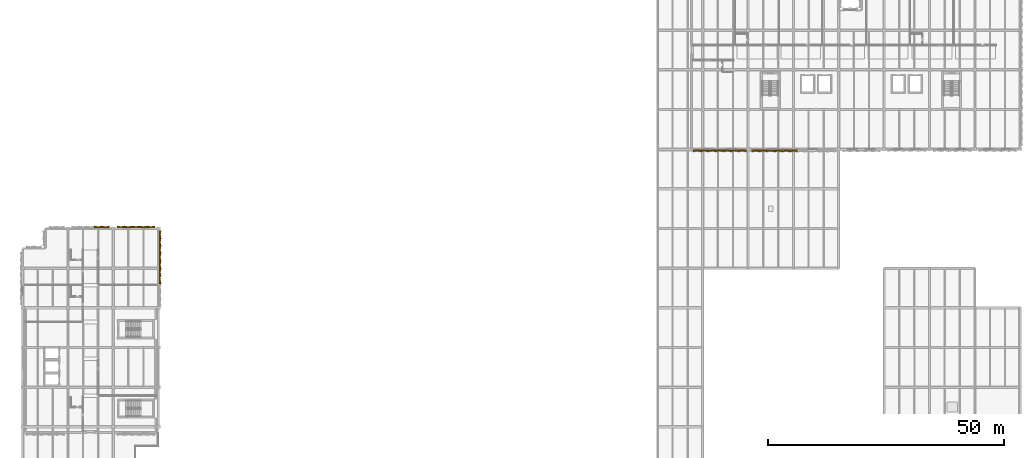
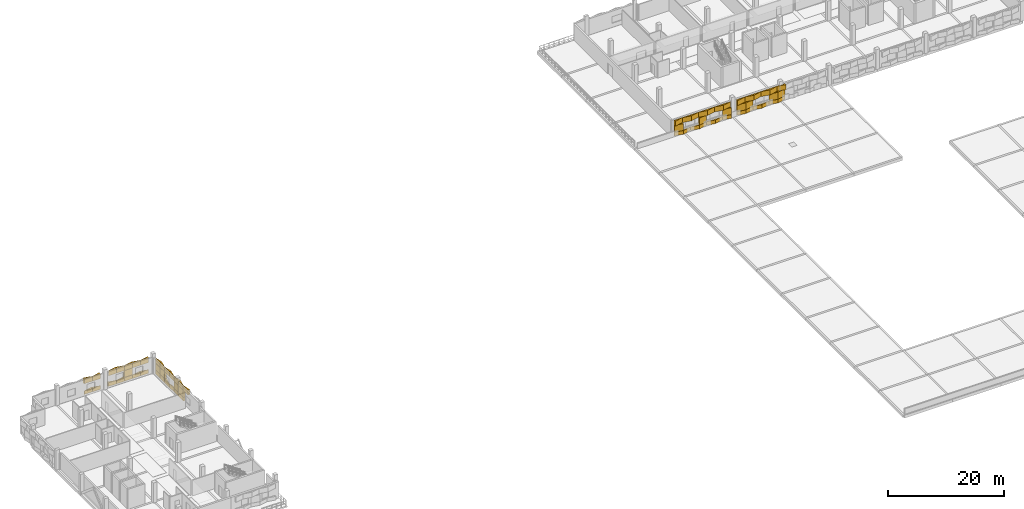
# One storey, part 20 of 24: 65 coverings.
"""IFC4 building model written with IfcOpenShell, lengths in metres."""

from ifc_helpers import new_model, si_unit, direction, frame, origin, place, context, subcontext, project, spatial, polyline, outline, extrude, material, type_object, element, save


model = new_model("IFC4")

# Units and contexts
model_context = context("Model", 3, precision=1e-05, world=origin(), true_north=direction((0.0, 1.0)))
body_context = subcontext(model_context, "Body", "Model", "MODEL_VIEW")
ifc_project = project(units=[si_unit("LENGTHUNIT", "METRE"), si_unit("AREAUNIT", "SQUARE_METRE"), si_unit("VOLUMEUNIT", "CUBIC_METRE"), si_unit("PLANEANGLEUNIT", "RADIAN"), si_unit("MASSUNIT", "GRAM", prefix="KILO")], contexts=[model_context])

# Site, building, storey
site_placement = place(None, origin())
site = spatial("IfcSite", under=ifc_project, at=site_placement, CompositionType="ELEMENT")
building_placement = place(site_placement, origin())
building = spatial("IfcBuilding", under=site, at=building_placement, Name="Oolite Switchyard Hospital", CompositionType="ELEMENT")
storey_placement = place(building_placement, frame((0.0, 0.0, 22.0)))
storey = spatial("IfcBuildingStorey", under=building, at=storey_placement, Name="L05", CompositionType="ELEMENT", Elevation=22.0)

# Coverings
ifc_material = material(Name="Precast oolitic limestone architectural concrete C40/50", Category="masonry")
covering_type_1 = type_object("IfcCoveringType", Name="COV-CHEV-COOL", PredefinedType="CLADDING", material=ifc_material)
covering_1_placement = place(storey_placement, frame((153.199951171875, 100.6298828125, 0.050048828125), z_axis=(0.0, 0.0, 1.0), x_axis=(-1.0, 0.0, 0.0)))
element("IfcCovering", 1, at=covering_1_placement, inside=storey, type_object=covering_type_1, Name="L05 Chevron Precast Oolite Panel 1099", PredefinedType="CLADDING", context=body_context, shape_type="SweptSolid", body=[
    extrude(outline(polyline([(0.0, 0.0), (1.599853515625, 0.0), (1.599853515625, 0.044921875), (0.0, 0.385009765625), (0.0, 0.0)])), origin(), (0.0, 0.0, 1.0), 0.760009765625),
])
covering_2_placement = place(storey_placement, frame((153.199951171875, 100.6298828125, 2.2900390625), z_axis=(0.0, 0.0, 1.0), x_axis=(-1.0, 0.0, 0.0)))
element("IfcCovering", 2, at=covering_2_placement, inside=storey, type_object=covering_type_1, Name="L05 Chevron Precast Oolite Panel 1100", PredefinedType="CLADDING", context=body_context, shape_type="SweptSolid", body=[
    extrude(outline(polyline([(0.0, 0.0), (1.599853515625, 0.0), (1.599853515625, 0.385009765625), (0.0, 0.044921875), (0.0, 0.0)])), origin(), (0.0, 0.0, 1.0), 1.050048828125),
])
covering_3_placement = place(storey_placement, frame((153.199951171875, 100.6298828125, 0.830078125), z_axis=(0.0, 0.0, 1.0), x_axis=(-1.0, 0.0, 0.0)))
element("IfcCovering", 3, at=covering_3_placement, inside=storey, type_object=covering_type_1, Name="L05 Chevron Precast Oolite Panel 1101", PredefinedType="CLADDING", context=body_context, shape_type="SweptSolid", body=[
    extrude(outline(polyline([(0.0, 0.0), (1.599853515625, 0.0), (1.599853515625, 0.044921875), (0.0, 0.385009765625), (0.0, 0.0)])), origin(), (0.0, 0.0, 1.0), 1.43994140625),
])
covering_4_placement = place(storey_placement, frame((151.60009765625, 100.6298828125, 0.050048828125), z_axis=(0.0, 0.0, 1.0), x_axis=(-1.0, 0.0, 0.0)))
element("IfcCovering", 4, at=covering_4_placement, inside=storey, type_object=covering_type_1, Name="L05 Chevron Precast Oolite Panel 1102", PredefinedType="CLADDING", context=body_context, shape_type="SweptSolid", body=[
    extrude(outline(polyline([(0.0, 0.0), (1.60009765625, 0.0), (1.60009765625, 0.385009765625), (0.0, 0.044921875), (0.0, 0.0)])), origin(), (0.0, 0.0, 1.0), 0.760009765625),
])
covering_5_placement = place(storey_placement, frame((151.60009765625, 100.6298828125, 2.2900390625), z_axis=(0.0, 0.0, 1.0), x_axis=(-1.0, 0.0, 0.0)))
element("IfcCovering", 5, at=covering_5_placement, inside=storey, type_object=covering_type_1, Name="L05 Chevron Precast Oolite Panel 1103", PredefinedType="CLADDING", context=body_context, shape_type="SweptSolid", body=[
    extrude(outline(polyline([(0.0, 0.0), (1.60009765625, 0.0), (1.60009765625, 0.044921875), (0.0, 0.385009765625), (0.0, 0.0)])), origin(), (0.0, 0.0, 1.0), 1.050048828125),
])
covering_6_placement = place(storey_placement, frame((150.0, 100.6298828125, 0.050048828125), z_axis=(0.0, 0.0, 1.0), x_axis=(-1.0, 0.0, 0.0)))
element("IfcCovering", 6, at=covering_6_placement, inside=storey, type_object=covering_type_1, Name="L05 Chevron Precast Oolite Panel 1104", PredefinedType="CLADDING", context=body_context, shape_type="SweptSolid", body=[
    extrude(outline(polyline([(0.0, 0.0), (1.60009765625, 0.0), (1.60009765625, 0.044921875), (0.0, 0.385009765625), (0.0, 0.0)])), origin(), (0.0, 0.0, 1.0), 0.760009765625),
])
covering_7_placement = place(storey_placement, frame((150.0, 100.6298828125, 2.2900390625), z_axis=(0.0, 0.0, 1.0), x_axis=(-1.0, 0.0, 0.0)))
element("IfcCovering", 7, at=covering_7_placement, inside=storey, type_object=covering_type_1, Name="L05 Chevron Precast Oolite Panel 1105", PredefinedType="CLADDING", context=body_context, shape_type="SweptSolid", body=[
    extrude(outline(polyline([(0.0, 0.0), (1.60009765625, 0.0), (1.60009765625, 0.385009765625), (0.0, 0.044921875), (0.0, 0.0)])), origin(), (0.0, 0.0, 1.0), 1.050048828125),
])
covering_8_placement = place(storey_placement, frame((148.39990234375, 100.6298828125, 0.050048828125), z_axis=(0.0, 0.0, 1.0), x_axis=(-1.0, 0.0, 0.0)))
element("IfcCovering", 8, at=covering_8_placement, inside=storey, type_object=covering_type_1, Name="L05 Chevron Precast Oolite Panel 1106", PredefinedType="CLADDING", context=body_context, shape_type="SweptSolid", body=[
    extrude(outline(polyline([(0.0, 0.0), (1.599853515625, 0.0), (1.599853515625, 0.385009765625), (0.0, 0.044921875), (0.0, 0.0)])), origin(), (0.0, 0.0, 1.0), 0.760009765625),
])
covering_9_placement = place(storey_placement, frame((148.39990234375, 100.6298828125, 2.2900390625), z_axis=(0.0, 0.0, 1.0), x_axis=(-1.0, 0.0, 0.0)))
element("IfcCovering", 9, at=covering_9_placement, inside=storey, type_object=covering_type_1, Name="L05 Chevron Precast Oolite Panel 1107", PredefinedType="CLADDING", context=body_context, shape_type="SweptSolid", body=[
    extrude(outline(polyline([(0.0, 0.0), (1.599853515625, 0.0), (1.599853515625, 0.044921875), (0.0, 0.385009765625), (0.0, 0.0)])), origin(), (0.0, 0.0, 1.0), 1.050048828125),
])
covering_10_placement = place(storey_placement, frame((148.39990234375, 100.6298828125, 0.830078125), z_axis=(0.0, 0.0, 1.0), x_axis=(-1.0, 0.0, 0.0)))
element("IfcCovering", 10, at=covering_10_placement, inside=storey, type_object=covering_type_1, Name="L05 Chevron Precast Oolite Panel 1108", PredefinedType="CLADDING", context=body_context, shape_type="SweptSolid", body=[
    extrude(outline(polyline([(0.0, 0.0), (1.599853515625, 0.0), (1.599853515625, 0.385009765625), (0.0, 0.044921875), (0.0, 0.0)])), origin(), (0.0, 0.0, 1.0), 1.43994140625),
])
covering_11_placement = place(storey_placement, frame((146.800048828125, 100.6298828125, 0.050048828125), z_axis=(0.0, 0.0, 1.0), x_axis=(-1.0, 0.0, 0.0)))
element("IfcCovering", 11, at=covering_11_placement, inside=storey, type_object=covering_type_1, Name="L05 Chevron Precast Oolite Panel 1109", PredefinedType="CLADDING", context=body_context, shape_type="SweptSolid", body=[
    extrude(outline(polyline([(0.0, 0.0), (1.60009765625, 0.0), (1.60009765625, 0.044921875), (0.0, 0.385009765625), (0.0, 0.0)])), origin(), (0.0, 0.0, 1.0), 0.760009765625),
])
covering_12_placement = place(storey_placement, frame((146.800048828125, 100.6298828125, 2.2900390625), z_axis=(0.0, 0.0, 1.0), x_axis=(-1.0, 0.0, 0.0)))
element("IfcCovering", 12, at=covering_12_placement, inside=storey, type_object=covering_type_1, Name="L05 Chevron Precast Oolite Panel 1110", PredefinedType="CLADDING", context=body_context, shape_type="SweptSolid", body=[
    extrude(outline(polyline([(0.0, 0.0), (1.60009765625, 0.0), (1.60009765625, 0.385009765625), (0.0, 0.044921875), (0.0, 0.0)])), origin(), (0.0, 0.0, 1.0), 1.050048828125),
])
covering_13_placement = place(storey_placement, frame((145.199951171875, 100.6298828125, 0.050048828125), z_axis=(0.0, 0.0, 1.0), x_axis=(-1.0, 0.0, 0.0)))
element("IfcCovering", 13, at=covering_13_placement, inside=storey, type_object=covering_type_1, Name="L05 Chevron Precast Oolite Panel 1111", PredefinedType="CLADDING", context=body_context, shape_type="SweptSolid", body=[
    extrude(outline(polyline([(0.0, 0.0), (1.599853515625, 0.0), (1.599853515625, 0.385009765625), (0.0, 0.044921875), (0.0, 0.0)])), origin(), (0.0, 0.0, 1.0), 0.760009765625),
])
covering_14_placement = place(storey_placement, frame((145.199951171875, 100.6298828125, 2.2900390625), z_axis=(0.0, 0.0, 1.0), x_axis=(-1.0, 0.0, 0.0)))
element("IfcCovering", 14, at=covering_14_placement, inside=storey, type_object=covering_type_1, Name="L05 Chevron Precast Oolite Panel 1112", PredefinedType="CLADDING", context=body_context, shape_type="SweptSolid", body=[
    extrude(outline(polyline([(0.0, 0.0), (1.599853515625, 0.0), (1.599853515625, 0.044921875), (0.0, 0.385009765625), (0.0, 0.0)])), origin(), (0.0, 0.0, 1.0), 1.050048828125),
])
covering_15_placement = place(storey_placement, frame((143.60009765625, 100.6298828125, 0.050048828125), z_axis=(0.0, 0.0, 1.0), x_axis=(-1.0, 0.0, 0.0)))
element("IfcCovering", 15, at=covering_15_placement, inside=storey, type_object=covering_type_1, Name="L05 Chevron Precast Oolite Panel 1113", PredefinedType="CLADDING", context=body_context, shape_type="SweptSolid", body=[
    extrude(outline(polyline([(0.0, 0.0), (1.60009765625, 0.0), (1.60009765625, 0.044921875), (0.0, 0.385009765625), (0.0, 0.0)])), origin(), (0.0, 0.0, 1.0), 0.760009765625),
])
covering_16_placement = place(storey_placement, frame((143.60009765625, 100.6298828125, 2.2900390625), z_axis=(0.0, 0.0, 1.0), x_axis=(-1.0, 0.0, 0.0)))
element("IfcCovering", 16, at=covering_16_placement, inside=storey, type_object=covering_type_1, Name="L05 Chevron Precast Oolite Panel 1114", PredefinedType="CLADDING", context=body_context, shape_type="SweptSolid", body=[
    extrude(outline(polyline([(0.0, 0.0), (1.60009765625, 0.0), (1.60009765625, 0.385009765625), (0.0, 0.044921875), (0.0, 0.0)])), origin(), (0.0, 0.0, 1.0), 1.050048828125),
])
covering_17_placement = place(storey_placement, frame((143.60009765625, 100.6298828125, 0.830078125), z_axis=(0.0, 0.0, 1.0), x_axis=(-1.0, 0.0, 0.0)))
element("IfcCovering", 17, at=covering_17_placement, inside=storey, type_object=covering_type_1, Name="L05 Chevron Precast Oolite Panel 1115", PredefinedType="CLADDING", context=body_context, shape_type="SweptSolid", body=[
    extrude(outline(polyline([(0.0, 0.0), (1.60009765625, 0.0), (1.60009765625, 0.044921875), (0.0, 0.385009765625), (0.0, 0.0)])), origin(), (0.0, 0.0, 1.0), 1.43994140625),
])
covering_18_placement = place(storey_placement, frame((164.0, 100.6201171875, 0.050048828125), z_axis=(0.0, 0.0, 1.0), x_axis=(-1.0, 0.0, 0.0)))
element("IfcCovering", 18, at=covering_18_placement, inside=storey, type_object=covering_type_1, Name="L05 Chevron Precast Oolite Panel 1129", PredefinedType="CLADDING", context=body_context, shape_type="SweptSolid", body=[
    extrude(outline(polyline([(0.0, 0.0), (1.60009765625, 0.0), (1.60009765625, 0.385009765625), (0.0, 0.044921875), (0.0, 0.0)])), origin(), (0.0, 0.0, 1.0), 0.760009765625),
])
covering_19_placement = place(storey_placement, frame((164.0, 100.6201171875, 2.2900390625), z_axis=(0.0, 0.0, 1.0), x_axis=(-1.0, 0.0, 0.0)))
element("IfcCovering", 19, at=covering_19_placement, inside=storey, type_object=covering_type_1, Name="L05 Chevron Precast Oolite Panel 1130", PredefinedType="CLADDING", context=body_context, shape_type="SweptSolid", body=[
    extrude(outline(polyline([(0.0, 0.0), (1.60009765625, 0.0), (1.60009765625, 0.044921875), (0.0, 0.385009765625), (0.0, 0.0)])), origin(), (0.0, 0.0, 1.0), 1.050048828125),
])
covering_20_placement = place(storey_placement, frame((164.0, 100.6201171875, 0.830078125), z_axis=(0.0, 0.0, 1.0), x_axis=(-1.0, 0.0, 0.0)))
element("IfcCovering", 20, at=covering_20_placement, inside=storey, type_object=covering_type_1, Name="L05 Chevron Precast Oolite Panel 1131", PredefinedType="CLADDING", context=body_context, shape_type="SweptSolid", body=[
    extrude(outline(polyline([(0.0, 0.0), (1.60009765625, 0.0), (1.60009765625, 0.385009765625), (0.0, 0.044921875), (0.0, 0.0)])), origin(), (0.0, 0.0, 1.0), 1.43994140625),
])
covering_21_placement = place(storey_placement, frame((162.39990234375, 100.6201171875, 0.050048828125), z_axis=(0.0, 0.0, 1.0), x_axis=(-1.0, 0.0, 0.0)))
element("IfcCovering", 21, at=covering_21_placement, inside=storey, type_object=covering_type_1, Name="L05 Chevron Precast Oolite Panel 1132", PredefinedType="CLADDING", context=body_context, shape_type="SweptSolid", body=[
    extrude(outline(polyline([(0.0, 0.0), (1.599853515625, 0.0), (1.599853515625, 0.044921875), (0.0, 0.385009765625), (0.0, 0.0)])), origin(), (0.0, 0.0, 1.0), 0.760009765625),
])
covering_22_placement = place(storey_placement, frame((162.39990234375, 100.6201171875, 2.2900390625), z_axis=(0.0, 0.0, 1.0), x_axis=(-1.0, 0.0, 0.0)))
element("IfcCovering", 22, at=covering_22_placement, inside=storey, type_object=covering_type_1, Name="L05 Chevron Precast Oolite Panel 1133", PredefinedType="CLADDING", context=body_context, shape_type="SweptSolid", body=[
    extrude(outline(polyline([(0.0, 0.0), (1.599853515625, 0.0), (1.599853515625, 0.385009765625), (0.0, 0.044921875), (0.0, 0.0)])), origin(), (0.0, 0.0, 1.0), 1.050048828125),
])
covering_23_placement = place(storey_placement, frame((162.39990234375, 100.6201171875, 0.830078125), z_axis=(0.0, 0.0, 1.0), x_axis=(-1.0, 0.0, 0.0)))
element("IfcCovering", 23, at=covering_23_placement, inside=storey, type_object=covering_type_1, Name="L05 Chevron Precast Oolite Panel 1134", PredefinedType="CLADDING", context=body_context, shape_type="SweptSolid", body=[
    extrude(outline(polyline([(0.0, 0.0), (1.599853515625, 0.0), (1.599853515625, 0.044921875), (0.0, 0.385009765625), (0.0, 0.0)])), origin(), (0.0, 0.0, 1.0), 1.43994140625),
])
covering_24_placement = place(storey_placement, frame((160.800048828125, 100.6201171875, 0.050048828125), z_axis=(0.0, 0.0, 1.0), x_axis=(-1.0, 0.0, 0.0)))
element("IfcCovering", 24, at=covering_24_placement, inside=storey, type_object=covering_type_1, Name="L05 Chevron Precast Oolite Panel 1135", PredefinedType="CLADDING", context=body_context, shape_type="SweptSolid", body=[
    extrude(outline(polyline([(0.0, 0.0), (1.60009765625, 0.0), (1.60009765625, 0.385009765625), (0.0, 0.044921875), (0.0, 0.0)])), origin(), (0.0, 0.0, 1.0), 0.760009765625),
])
covering_25_placement = place(storey_placement, frame((160.800048828125, 100.6201171875, 2.2900390625), z_axis=(0.0, 0.0, 1.0), x_axis=(-1.0, 0.0, 0.0)))
element("IfcCovering", 25, at=covering_25_placement, inside=storey, type_object=covering_type_1, Name="L05 Chevron Precast Oolite Panel 1136", PredefinedType="CLADDING", context=body_context, shape_type="SweptSolid", body=[
    extrude(outline(polyline([(0.0, 0.0), (1.60009765625, 0.0), (1.60009765625, 0.044921875), (0.0, 0.385009765625), (0.0, 0.0)])), origin(), (0.0, 0.0, 1.0), 1.050048828125),
])
covering_26_placement = place(storey_placement, frame((159.199951171875, 100.6201171875, 0.050048828125), z_axis=(0.0, 0.0, 1.0), x_axis=(-1.0, 0.0, 0.0)))
element("IfcCovering", 26, at=covering_26_placement, inside=storey, type_object=covering_type_1, Name="L05 Chevron Precast Oolite Panel 1137", PredefinedType="CLADDING", context=body_context, shape_type="SweptSolid", body=[
    extrude(outline(polyline([(0.0, 0.0), (1.599853515625, 0.0), (1.599853515625, 0.044921875), (0.0, 0.385009765625), (0.0, 0.0)])), origin(), (0.0, 0.0, 1.0), 0.760009765625),
])
covering_27_placement = place(storey_placement, frame((159.199951171875, 100.6201171875, 2.2900390625), z_axis=(0.0, 0.0, 1.0), x_axis=(-1.0, 0.0, 0.0)))
element("IfcCovering", 27, at=covering_27_placement, inside=storey, type_object=covering_type_1, Name="L05 Chevron Precast Oolite Panel 1138", PredefinedType="CLADDING", context=body_context, shape_type="SweptSolid", body=[
    extrude(outline(polyline([(0.0, 0.0), (1.599853515625, 0.0), (1.599853515625, 0.385009765625), (0.0, 0.044921875), (0.0, 0.0)])), origin(), (0.0, 0.0, 1.0), 1.050048828125),
])
covering_28_placement = place(storey_placement, frame((157.60009765625, 100.6201171875, 0.050048828125), z_axis=(0.0, 0.0, 1.0), x_axis=(-1.0, 0.0, 0.0)))
element("IfcCovering", 28, at=covering_28_placement, inside=storey, type_object=covering_type_1, Name="L05 Chevron Precast Oolite Panel 1139", PredefinedType="CLADDING", context=body_context, shape_type="SweptSolid", body=[
    extrude(outline(polyline([(0.0, 0.0), (1.60009765625, 0.0), (1.60009765625, 0.385009765625), (0.0, 0.044921875), (0.0, 0.0)])), origin(), (0.0, 0.0, 1.0), 0.760009765625),
])
covering_29_placement = place(storey_placement, frame((157.60009765625, 100.6201171875, 2.2900390625), z_axis=(0.0, 0.0, 1.0), x_axis=(-1.0, 0.0, 0.0)))
element("IfcCovering", 29, at=covering_29_placement, inside=storey, type_object=covering_type_1, Name="L05 Chevron Precast Oolite Panel 1140", PredefinedType="CLADDING", context=body_context, shape_type="SweptSolid", body=[
    extrude(outline(polyline([(0.0, 0.0), (1.60009765625, 0.0), (1.60009765625, 0.044921875), (0.0, 0.385009765625), (0.0, 0.0)])), origin(), (0.0, 0.0, 1.0), 1.050048828125),
])
covering_30_placement = place(storey_placement, frame((157.60009765625, 100.6201171875, 0.830078125), z_axis=(0.0, 0.0, 1.0), x_axis=(-1.0, 0.0, 0.0)))
element("IfcCovering", 30, at=covering_30_placement, inside=storey, type_object=covering_type_1, Name="L05 Chevron Precast Oolite Panel 1141", PredefinedType="CLADDING", context=body_context, shape_type="SweptSolid", body=[
    extrude(outline(polyline([(0.0, 0.0), (1.60009765625, 0.0), (1.60009765625, 0.385009765625), (0.0, 0.044921875), (0.0, 0.0)])), origin(), (0.0, 0.0, 1.0), 1.43994140625),
])
covering_31_placement = place(storey_placement, frame((156.0, 100.6201171875, 0.050048828125), z_axis=(0.0, 0.0, 1.0), x_axis=(-1.0, 0.0, 0.0)))
element("IfcCovering", 31, at=covering_31_placement, inside=storey, type_object=covering_type_1, Name="L05 Chevron Precast Oolite Panel 1142", PredefinedType="CLADDING", context=body_context, shape_type="SweptSolid", body=[
    extrude(outline(polyline([(0.0, 0.0), (1.60009765625, 0.0), (1.60009765625, 0.044921875), (0.0, 0.385009765625), (0.0, 0.0)])), origin(), (0.0, 0.0, 1.0), 0.760009765625),
])
covering_32_placement = place(storey_placement, frame((156.0, 100.6201171875, 2.2900390625), z_axis=(0.0, 0.0, 1.0), x_axis=(-1.0, 0.0, 0.0)))
element("IfcCovering", 32, at=covering_32_placement, inside=storey, type_object=covering_type_1, Name="L05 Chevron Precast Oolite Panel 1143", PredefinedType="CLADDING", context=body_context, shape_type="SweptSolid", body=[
    extrude(outline(polyline([(0.0, 0.0), (1.60009765625, 0.0), (1.60009765625, 0.385009765625), (0.0, 0.044921875), (0.0, 0.0)])), origin(), (0.0, 0.0, 1.0), 1.050048828125),
])
covering_33_placement = place(storey_placement, frame((156.0, 100.6201171875, 0.830078125), z_axis=(0.0, 0.0, 1.0), x_axis=(-1.0, 0.0, 0.0)))
element("IfcCovering", 33, at=covering_33_placement, inside=storey, type_object=covering_type_1, Name="L05 Chevron Precast Oolite Panel 1144", PredefinedType="CLADDING", context=body_context, shape_type="SweptSolid", body=[
    extrude(outline(polyline([(0.0, 0.0), (1.60009765625, 0.0), (1.60009765625, 0.044921875), (0.0, 0.385009765625), (0.0, 0.0)])), origin(), (0.0, 0.0, 1.0), 1.43994140625),
])
covering_type_2 = type_object("IfcCoveringType", Name="COV-CHEV-WARM", PredefinedType="CLADDING", material=ifc_material)
covering_34_placement = place(storey_placement, frame((15.199951171875, 84.14990234375, 0.050048828125), z_axis=(0.0, 0.0, 1.0), x_axis=(1.0, 0.0, 0.0)))
element("IfcCovering", 34, at=covering_34_placement, inside=storey, type_object=covering_type_2, Name="L05 Chevron Precast Oolite Panel 1084", PredefinedType="CLADDING", context=body_context, shape_type="SweptSolid", body=[
    extrude(outline(polyline([(0.0, 0.0), (1.60009765625, 0.0), (1.60009765625, 0.385009765625), (0.0, 0.044921875), (0.0, 0.0)])), origin(), (0.0, 0.0, 1.0), 0.760009765625),
])
covering_35_placement = place(storey_placement, frame((15.199951171875, 84.14990234375, 2.2900390625), z_axis=(0.0, 0.0, 1.0), x_axis=(1.0, 0.0, 0.0)))
element("IfcCovering", 35, at=covering_35_placement, inside=storey, type_object=covering_type_2, Name="L05 Chevron Precast Oolite Panel 1085", PredefinedType="CLADDING", context=body_context, shape_type="SweptSolid", body=[
    extrude(outline(polyline([(0.0, 0.0), (1.60009765625, 0.0), (1.60009765625, 0.044921875), (0.0, 0.385009765625), (0.0, 0.0)])), origin(), (0.0, 0.0, 1.0), 1.050048828125),
])
covering_36_placement = place(storey_placement, frame((16.800048828125, 84.14990234375, 0.050048828125), z_axis=(0.0, 0.0, 1.0), x_axis=(1.0, 0.0, 0.0)))
element("IfcCovering", 36, at=covering_36_placement, inside=storey, type_object=covering_type_2, Name="L05 Chevron Precast Oolite Panel 1086", PredefinedType="CLADDING", context=body_context, shape_type="SweptSolid", body=[
    extrude(outline(polyline([(0.0, 0.0), (1.599853515625, 0.0), (1.599853515625, 0.044921875), (0.0, 0.385009765625), (0.0, 0.0)])), origin(), (0.0, 0.0, 1.0), 0.760009765625),
])
covering_37_placement = place(storey_placement, frame((16.800048828125, 84.14990234375, 2.2900390625), z_axis=(0.0, 0.0, 1.0), x_axis=(1.0, 0.0, 0.0)))
element("IfcCovering", 37, at=covering_37_placement, inside=storey, type_object=covering_type_2, Name="L05 Chevron Precast Oolite Panel 1087", PredefinedType="CLADDING", context=body_context, shape_type="SweptSolid", body=[
    extrude(outline(polyline([(0.0, 0.0), (1.599853515625, 0.0), (1.599853515625, 0.385009765625), (0.0, 0.044921875), (0.0, 0.0)])), origin(), (0.0, 0.0, 1.0), 1.050048828125),
])
covering_38_placement = place(storey_placement, frame((20.0, 84.159912109375, 0.050048828125), z_axis=(0.0, 0.0, 1.0), x_axis=(1.0, 0.0, 0.0)))
element("IfcCovering", 38, at=covering_38_placement, inside=storey, type_object=covering_type_2, Name="L05 Chevron Precast Oolite Panel 1088", PredefinedType="CLADDING", context=body_context, shape_type="SweptSolid", body=[
    extrude(outline(polyline([(0.0, 0.0), (1.60009765625, 0.0), (1.60009765625, 0.044921875), (0.0, 0.385009765625), (0.0, 0.0)])), origin(), (0.0, 0.0, 1.0), 0.760009765625),
])
covering_39_placement = place(storey_placement, frame((20.0, 84.159912109375, 2.2900390625), z_axis=(0.0, 0.0, 1.0), x_axis=(1.0, 0.0, 0.0)))
element("IfcCovering", 39, at=covering_39_placement, inside=storey, type_object=covering_type_2, Name="L05 Chevron Precast Oolite Panel 1089", PredefinedType="CLADDING", context=body_context, shape_type="SweptSolid", body=[
    extrude(outline(polyline([(0.0, 0.0), (1.60009765625, 0.0), (1.60009765625, 0.385009765625), (0.0, 0.044921875), (0.0, 0.0)])), origin(), (0.0, 0.0, 1.0), 1.050048828125),
])
covering_40_placement = place(storey_placement, frame((21.60009765625, 84.159912109375, 0.050048828125), z_axis=(0.0, 0.0, 1.0), x_axis=(1.0, 0.0, 0.0)))
element("IfcCovering", 40, at=covering_40_placement, inside=storey, type_object=covering_type_2, Name="L05 Chevron Precast Oolite Panel 1090", PredefinedType="CLADDING", context=body_context, shape_type="SweptSolid", body=[
    extrude(outline(polyline([(0.0, 0.0), (1.599853515625, 0.0), (1.599853515625, 0.385009765625), (0.0, 0.044921875), (0.0, 0.0)])), origin(), (0.0, 0.0, 1.0), 0.760009765625),
])
covering_41_placement = place(storey_placement, frame((21.60009765625, 84.159912109375, 2.2900390625), z_axis=(0.0, 0.0, 1.0), x_axis=(1.0, 0.0, 0.0)))
element("IfcCovering", 41, at=covering_41_placement, inside=storey, type_object=covering_type_2, Name="L05 Chevron Precast Oolite Panel 1091", PredefinedType="CLADDING", context=body_context, shape_type="SweptSolid", body=[
    extrude(outline(polyline([(0.0, 0.0), (1.599853515625, 0.0), (1.599853515625, 0.044921875), (0.0, 0.385009765625), (0.0, 0.0)])), origin(), (0.0, 0.0, 1.0), 1.050048828125),
])
covering_42_placement = place(storey_placement, frame((23.199951171875, 84.159912109375, 0.050048828125), z_axis=(0.0, 0.0, 1.0), x_axis=(1.0, 0.0, 0.0)))
element("IfcCovering", 42, at=covering_42_placement, inside=storey, type_object=covering_type_2, Name="L05 Chevron Precast Oolite Panel 1092", PredefinedType="CLADDING", context=body_context, shape_type="SweptSolid", body=[
    extrude(outline(polyline([(0.0, 0.0), (1.60009765625, 0.0), (1.60009765625, 0.044921875), (0.0, 0.385009765625), (0.0, 0.0)])), origin(), (0.0, 0.0, 1.0), 0.760009765625),
])
covering_43_placement = place(storey_placement, frame((23.199951171875, 84.159912109375, 2.2900390625), z_axis=(0.0, 0.0, 1.0), x_axis=(1.0, 0.0, 0.0)))
element("IfcCovering", 43, at=covering_43_placement, inside=storey, type_object=covering_type_2, Name="L05 Chevron Precast Oolite Panel 1093", PredefinedType="CLADDING", context=body_context, shape_type="SweptSolid", body=[
    extrude(outline(polyline([(0.0, 0.0), (1.60009765625, 0.0), (1.60009765625, 0.385009765625), (0.0, 0.044921875), (0.0, 0.0)])), origin(), (0.0, 0.0, 1.0), 1.050048828125),
])
covering_44_placement = place(storey_placement, frame((23.199951171875, 84.159912109375, 0.830078125), z_axis=(0.0, 0.0, 1.0), x_axis=(1.0, 0.0, 0.0)))
element("IfcCovering", 44, at=covering_44_placement, inside=storey, type_object=covering_type_2, Name="L05 Chevron Precast Oolite Panel 1094", PredefinedType="CLADDING", context=body_context, shape_type="SweptSolid", body=[
    extrude(outline(polyline([(0.0, 0.0), (1.60009765625, 0.0), (1.60009765625, 0.044921875), (0.0, 0.385009765625), (0.0, 0.0)])), origin(), (0.0, 0.0, 1.0), 1.43994140625),
])
covering_45_placement = place(storey_placement, frame((24.800048828125, 84.159912109375, 0.050048828125), z_axis=(0.0, 0.0, 1.0), x_axis=(1.0, 0.0, 0.0)))
element("IfcCovering", 45, at=covering_45_placement, inside=storey, type_object=covering_type_2, Name="L05 Chevron Precast Oolite Panel 1095", PredefinedType="CLADDING", context=body_context, shape_type="SweptSolid", body=[
    extrude(outline(polyline([(0.0, 0.0), (1.599853515625, 0.0), (1.599853515625, 0.385009765625), (0.0, 0.044921875), (0.0, 0.0)])), origin(), (0.0, 0.0, 1.0), 0.760009765625),
])
covering_46_placement = place(storey_placement, frame((24.800048828125, 84.159912109375, 2.2900390625), z_axis=(0.0, 0.0, 1.0), x_axis=(1.0, 0.0, 0.0)))
element("IfcCovering", 46, at=covering_46_placement, inside=storey, type_object=covering_type_2, Name="L05 Chevron Precast Oolite Panel 1096", PredefinedType="CLADDING", context=body_context, shape_type="SweptSolid", body=[
    extrude(outline(polyline([(0.0, 0.0), (1.599853515625, 0.0), (1.599853515625, 0.044921875), (0.0, 0.385009765625), (0.0, 0.0)])), origin(), (0.0, 0.0, 1.0), 1.050048828125),
])
covering_47_placement = place(storey_placement, frame((26.39990234375, 84.159912109375, 0.050048828125), z_axis=(0.0, 0.0, 1.0), x_axis=(1.0, 0.0, 0.0)))
element("IfcCovering", 47, at=covering_47_placement, inside=storey, type_object=covering_type_2, Name="L05 Chevron Precast Oolite Panel 1097", PredefinedType="CLADDING", context=body_context, shape_type="SweptSolid", body=[
    extrude(outline(polyline([(0.0, 0.0), (1.60009765625, 0.0), (1.60009765625, 0.044921875), (0.0, 0.385009765625), (0.0, 0.0)])), origin(), (0.0, 0.0, 1.0), 0.760009765625),
])
covering_48_placement = place(storey_placement, frame((26.39990234375, 84.159912109375, 2.2900390625), z_axis=(0.0, 0.0, 1.0), x_axis=(1.0, 0.0, 0.0)))
element("IfcCovering", 48, at=covering_48_placement, inside=storey, type_object=covering_type_2, Name="L05 Chevron Precast Oolite Panel 1098", PredefinedType="CLADDING", context=body_context, shape_type="SweptSolid", body=[
    extrude(outline(polyline([(0.0, 0.0), (1.60009765625, 0.0), (1.60009765625, 0.385009765625), (0.0, 0.044921875), (0.0, 0.0)])), origin(), (0.0, 0.0, 1.0), 1.050048828125),
])
covering_49_placement = place(storey_placement, frame((28.9599609375, 83.52001953125, 0.050048828125), z_axis=(0.0, 0.0, 1.0), x_axis=(0.0, -1.0, 0.0)))
element("IfcCovering", 49, at=covering_49_placement, inside=storey, type_object=covering_type_2, Name="L05 Chevron Precast Oolite Panel 1264", PredefinedType="CLADDING", context=body_context, shape_type="SweptSolid", body=[
    extrude(outline(polyline([(0.0, 0.0), (1.60009765625, 0.0), (1.60009765625, 0.044921875), (0.0, 0.385009765625), (0.0, 0.0)])), origin(), (0.0, 0.0, 1.0), 0.760009765625),
])
covering_50_placement = place(storey_placement, frame((28.9599609375, 83.52001953125, 2.2900390625), z_axis=(0.0, 0.0, 1.0), x_axis=(0.0, -1.0, 0.0)))
element("IfcCovering", 50, at=covering_50_placement, inside=storey, type_object=covering_type_2, Name="L05 Chevron Precast Oolite Panel 1265", PredefinedType="CLADDING", context=body_context, shape_type="SweptSolid", body=[
    extrude(outline(polyline([(0.0, 0.0), (1.60009765625, 0.0), (1.60009765625, 0.385009765625), (0.0, 0.044921875), (0.0, 0.0)])), origin(), (0.0, 0.0, 1.0), 1.050048828125),
])
covering_51_placement = place(storey_placement, frame((28.9599609375, 83.52001953125, 0.830078125), z_axis=(0.0, 0.0, 1.0), x_axis=(0.0, -1.0, 0.0)))
element("IfcCovering", 51, at=covering_51_placement, inside=storey, type_object=covering_type_2, Name="L05 Chevron Precast Oolite Panel 1266", PredefinedType="CLADDING", context=body_context, shape_type="SweptSolid", body=[
    extrude(outline(polyline([(0.0, 0.0), (1.60009765625, 0.0), (1.60009765625, 0.044921875), (0.0, 0.385009765625), (0.0, 0.0)])), origin(), (0.0, 0.0, 1.0), 1.43994140625),
])
covering_52_placement = place(storey_placement, frame((28.9599609375, 81.919921875, 0.050048828125), z_axis=(0.0, 0.0, 1.0), x_axis=(0.0, -1.0, 0.0)))
element("IfcCovering", 52, at=covering_52_placement, inside=storey, type_object=covering_type_2, Name="L05 Chevron Precast Oolite Panel 1267", PredefinedType="CLADDING", context=body_context, shape_type="SweptSolid", body=[
    extrude(outline(polyline([(0.0, 0.0), (1.599853515625, 0.0), (1.599853515625, 0.385009765625), (0.0, 0.044921875), (0.0, 0.0)])), origin(), (0.0, 0.0, 1.0), 0.760009765625),
])
covering_53_placement = place(storey_placement, frame((28.9599609375, 81.919921875, 2.2900390625), z_axis=(0.0, 0.0, 1.0), x_axis=(0.0, -1.0, 0.0)))
element("IfcCovering", 53, at=covering_53_placement, inside=storey, type_object=covering_type_2, Name="L05 Chevron Precast Oolite Panel 1268", PredefinedType="CLADDING", context=body_context, shape_type="SweptSolid", body=[
    extrude(outline(polyline([(0.0, 0.0), (1.599853515625, 0.0), (1.599853515625, 0.044921875), (0.0, 0.385009765625), (0.0, 0.0)])), origin(), (0.0, 0.0, 1.0), 1.050048828125),
])
covering_54_placement = place(storey_placement, frame((28.9599609375, 81.919921875, 0.830078125), z_axis=(0.0, 0.0, 1.0), x_axis=(0.0, -1.0, 0.0)))
element("IfcCovering", 54, at=covering_54_placement, inside=storey, type_object=covering_type_2, Name="L05 Chevron Precast Oolite Panel 1269", PredefinedType="CLADDING", context=body_context, shape_type="SweptSolid", body=[
    extrude(outline(polyline([(0.0, 0.0), (1.599853515625, 0.0), (1.599853515625, 0.385009765625), (0.0, 0.044921875), (0.0, 0.0)])), origin(), (0.0, 0.0, 1.0), 1.43994140625),
])
covering_55_placement = place(storey_placement, frame((28.9599609375, 80.320068359375, 0.050048828125), z_axis=(0.0, 0.0, 1.0), x_axis=(0.0, -1.0, 0.0)))
element("IfcCovering", 55, at=covering_55_placement, inside=storey, type_object=covering_type_2, Name="L05 Chevron Precast Oolite Panel 1270", PredefinedType="CLADDING", context=body_context, shape_type="SweptSolid", body=[
    extrude(outline(polyline([(0.0, 0.0), (1.60009765625, 0.0), (1.60009765625, 0.044921875), (0.0, 0.385009765625), (0.0, 0.0)])), origin(), (0.0, 0.0, 1.0), 0.760009765625),
])
covering_56_placement = place(storey_placement, frame((28.9599609375, 80.320068359375, 2.2900390625), z_axis=(0.0, 0.0, 1.0), x_axis=(0.0, -1.0, 0.0)))
element("IfcCovering", 56, at=covering_56_placement, inside=storey, type_object=covering_type_2, Name="L05 Chevron Precast Oolite Panel 1271", PredefinedType="CLADDING", context=body_context, shape_type="SweptSolid", body=[
    extrude(outline(polyline([(0.0, 0.0), (1.60009765625, 0.0), (1.60009765625, 0.385009765625), (0.0, 0.044921875), (0.0, 0.0)])), origin(), (0.0, 0.0, 1.0), 1.050048828125),
])
covering_57_placement = place(storey_placement, frame((28.9599609375, 78.719970703125, 0.050048828125), z_axis=(0.0, 0.0, 1.0), x_axis=(0.0, -1.0, 0.0)))
element("IfcCovering", 57, at=covering_57_placement, inside=storey, type_object=covering_type_2, Name="L05 Chevron Precast Oolite Panel 1272", PredefinedType="CLADDING", context=body_context, shape_type="SweptSolid", body=[
    extrude(outline(polyline([(0.0, 0.0), (1.599853515625, 0.0), (1.599853515625, 0.385009765625), (0.0, 0.044921875), (0.0, 0.0)])), origin(), (0.0, 0.0, 1.0), 0.760009765625),
])
covering_58_placement = place(storey_placement, frame((28.9599609375, 78.719970703125, 2.2900390625), z_axis=(0.0, 0.0, 1.0), x_axis=(0.0, -1.0, 0.0)))
element("IfcCovering", 58, at=covering_58_placement, inside=storey, type_object=covering_type_2, Name="L05 Chevron Precast Oolite Panel 1273", PredefinedType="CLADDING", context=body_context, shape_type="SweptSolid", body=[
    extrude(outline(polyline([(0.0, 0.0), (1.599853515625, 0.0), (1.599853515625, 0.044921875), (0.0, 0.385009765625), (0.0, 0.0)])), origin(), (0.0, 0.0, 1.0), 1.050048828125),
])
covering_59_placement = place(storey_placement, frame((28.9599609375, 77.1201171875, 0.050048828125), z_axis=(0.0, 0.0, 1.0), x_axis=(0.0, -1.0, 0.0)))
element("IfcCovering", 59, at=covering_59_placement, inside=storey, type_object=covering_type_2, Name="L05 Chevron Precast Oolite Panel 1274", PredefinedType="CLADDING", context=body_context, shape_type="SweptSolid", body=[
    extrude(outline(polyline([(0.0, 0.0), (1.60009765625, 0.0), (1.60009765625, 0.044921875), (0.0, 0.385009765625), (0.0, 0.0)])), origin(), (0.0, 0.0, 1.0), 0.760009765625),
])
covering_60_placement = place(storey_placement, frame((28.9599609375, 77.1201171875, 2.2900390625), z_axis=(0.0, 0.0, 1.0), x_axis=(0.0, -1.0, 0.0)))
element("IfcCovering", 60, at=covering_60_placement, inside=storey, type_object=covering_type_2, Name="L05 Chevron Precast Oolite Panel 1275", PredefinedType="CLADDING", context=body_context, shape_type="SweptSolid", body=[
    extrude(outline(polyline([(0.0, 0.0), (1.60009765625, 0.0), (1.60009765625, 0.385009765625), (0.0, 0.044921875), (0.0, 0.0)])), origin(), (0.0, 0.0, 1.0), 1.050048828125),
])
covering_61_placement = place(storey_placement, frame((28.9599609375, 77.1201171875, 0.830078125), z_axis=(0.0, 0.0, 1.0), x_axis=(0.0, -1.0, 0.0)))
element("IfcCovering", 61, at=covering_61_placement, inside=storey, type_object=covering_type_2, Name="L05 Chevron Precast Oolite Panel 1276", PredefinedType="CLADDING", context=body_context, shape_type="SweptSolid", body=[
    extrude(outline(polyline([(0.0, 0.0), (1.60009765625, 0.0), (1.60009765625, 0.044921875), (0.0, 0.385009765625), (0.0, 0.0)])), origin(), (0.0, 0.0, 1.0), 1.43994140625),
])
covering_62_placement = place(storey_placement, frame((28.9599609375, 75.52001953125, 0.050048828125), z_axis=(0.0, 0.0, 1.0), x_axis=(0.0, -1.0, 0.0)))
element("IfcCovering", 62, at=covering_62_placement, inside=storey, type_object=covering_type_2, Name="L05 Chevron Precast Oolite Panel 1277", PredefinedType="CLADDING", context=body_context, shape_type="SweptSolid", body=[
    extrude(outline(polyline([(0.0, 0.0), (1.60009765625, 0.0), (1.60009765625, 0.385009765625), (0.0, 0.044921875), (0.0, 0.0)])), origin(), (0.0, 0.0, 1.0), 0.760009765625),
])
covering_63_placement = place(storey_placement, frame((28.9599609375, 75.52001953125, 2.2900390625), z_axis=(0.0, 0.0, 1.0), x_axis=(0.0, -1.0, 0.0)))
element("IfcCovering", 63, at=covering_63_placement, inside=storey, type_object=covering_type_2, Name="L05 Chevron Precast Oolite Panel 1278", PredefinedType="CLADDING", context=body_context, shape_type="SweptSolid", body=[
    extrude(outline(polyline([(0.0, 0.0), (1.60009765625, 0.0), (1.60009765625, 0.044921875), (0.0, 0.385009765625), (0.0, 0.0)])), origin(), (0.0, 0.0, 1.0), 1.050048828125),
])
covering_64_placement = place(storey_placement, frame((28.9599609375, 75.52001953125, 0.830078125), z_axis=(0.0, 0.0, 1.0), x_axis=(0.0, -1.0, 0.0)))
element("IfcCovering", 64, at=covering_64_placement, inside=storey, type_object=covering_type_2, Name="L05 Chevron Precast Oolite Panel 1279", PredefinedType="CLADDING", context=body_context, shape_type="SweptSolid", body=[
    extrude(outline(polyline([(0.0, 0.0), (1.60009765625, 0.0), (1.60009765625, 0.385009765625), (0.0, 0.044921875), (0.0, 0.0)])), origin(), (0.0, 0.0, 1.0), 1.43994140625),
])
covering_65_placement = place(storey_placement, frame((28.9599609375, 73.919921875, 2.2900390625), z_axis=(0.0, 0.0, 1.0), x_axis=(0.0, -1.0, 0.0)))
element("IfcCovering", 65, at=covering_65_placement, inside=storey, type_object=covering_type_2, Name="L05 Chevron Precast Oolite Panel 1281", PredefinedType="CLADDING", context=body_context, shape_type="SweptSolid", body=[
    extrude(outline(polyline([(0.0, 0.0), (1.599853515625, 0.0), (1.599853515625, 0.385009765625), (0.0, 0.044921875), (0.0, 0.0)])), origin(), (0.0, 0.0, 1.0), 1.050048828125),
])

save(model, "model.ifc")
